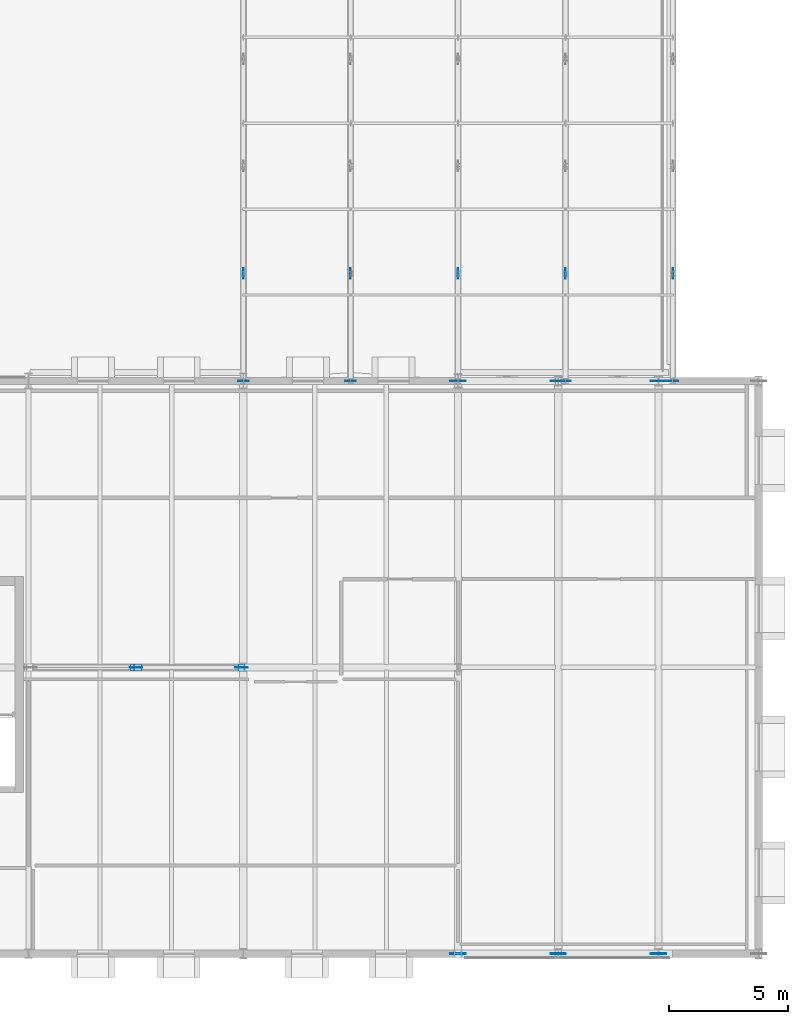
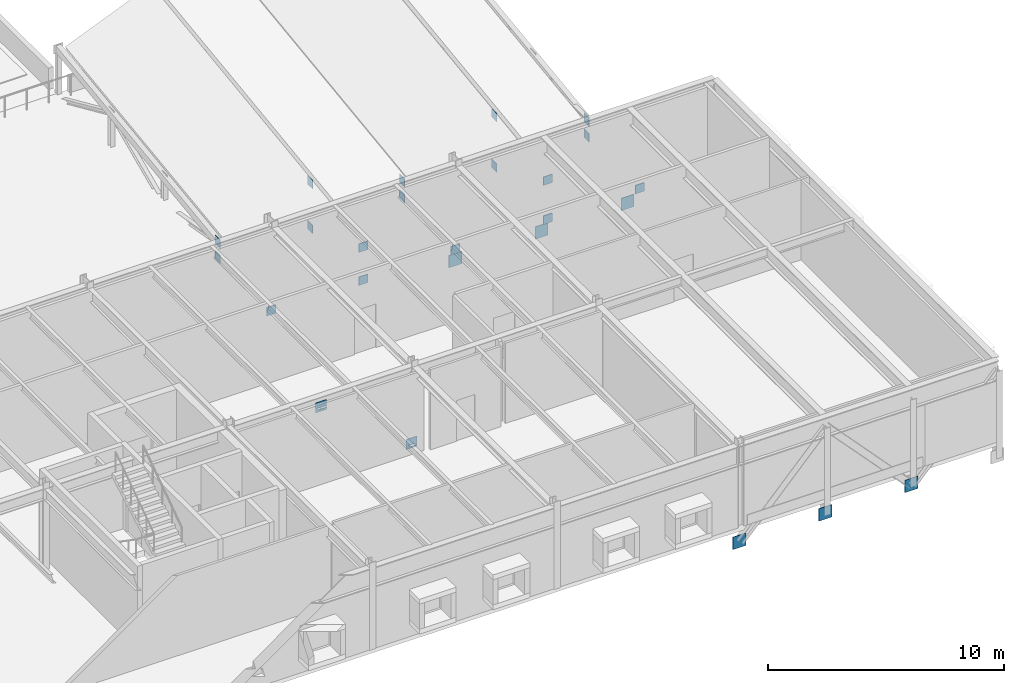
# One storey, part 113 of 142: 28 plates.
"""IFC4 building model written with IfcOpenShell, lengths in metres."""

from ifc_helpers import new_model, si_unit, direction, frame, origin, origin_2d, place, context, subcontext, project, spatial, rectangle, extrude, material, layer, layer_set, type_object, element, save


model = new_model("IFC4")

# Units and contexts
model_context = context("Model", 3, precision=1e-05, world=origin(), true_north=direction((0.0, 1.0)))
body_context = subcontext(model_context, "Body", "Model", "MODEL_VIEW")
ifc_project = project(units=[si_unit("LENGTHUNIT", "METRE"), si_unit("AREAUNIT", "SQUARE_METRE"), si_unit("VOLUMEUNIT", "CUBIC_METRE"), si_unit("PLANEANGLEUNIT", "RADIAN"), si_unit("MASSUNIT", "GRAM", prefix="KILO")], contexts=[model_context])

# Site, building, storey
site_placement = place(None, origin())
site = spatial("IfcSite", under=ifc_project, at=site_placement, CompositionType="ELEMENT")
building_placement = place(site_placement, origin())
building = spatial("IfcBuilding", under=site, at=building_placement, Name="Montelvaro Courts of Justice", CompositionType="ELEMENT")
storey_placement = place(building_placement, frame((0.0, 0.0, 14.39990234375)))
storey = spatial("IfcBuildingStorey", under=building, at=storey_placement, Name="L03", CompositionType="ELEMENT", Elevation=14.39990234375)

# Plates
ifc_material = material(Name="Steel S355", Category="steel")
ifc_layer_1 = layer(ifc_material, 0.011962890625)
ifc_layer_set_1 = layer_set([ifc_layer_1], Name="Steel S355")
plate_type_1 = type_object("IfcPlateType", Name="EndCapPlate_12", PredefinedType="USERDEFINED", material=ifc_layer_set_1)
for number, where, z_axis, x_axis, name in (
    (1, (121.419921875, 12.0, 3.55419921875), (0.0, 0.0, 1.0), (1.0, 0.0, 0.0), "Brace End Cap Plate CP-01 CBF2-L03-1B"),
    (2, (125.919921875, 12.0, 0.07421875), (0.0, 0.0, 1.0), (1.0, 0.0, 0.0), "Brace End Cap Plate CP-01 CBF2-L03-2A"),
    (3, (121.580078125, 12.0, 3.55419921875), (0.0, 0.0, 1.0), (1.0, 0.0, 0.0), "Brace End Cap Plate CP-01 CBF2-L03-2B"),
):
    element("IfcPlate", number, at=place(storey_placement, frame(where, z_axis=z_axis, x_axis=x_axis)), inside=storey, type_object=plate_type_1, Name=name, ObjectType="GUSSET PLATE", PredefinedType="USERDEFINED", context=body_context, shape_type="SweptSolid", body=[
        extrude(rectangle(XDim=0.300048828125, YDim=0.300048828125, at=origin_2d()), origin(), (0.0, 0.0, 1.0), 0.011962890625),
    ])
ifc_layer_2 = layer(ifc_material, 0.035888671875)
ifc_layer_set_2 = layer_set([ifc_layer_2], Name="Steel S355")
plate_type_2 = type_object("IfcPlateType", Name="EndCapPlate_36", PredefinedType="USERDEFINED", material=ifc_layer_set_2)
for number, where, z_axis, x_axis, name in (
    (4, (126.0, 24.0, -0.519775390625), (0.0, 0.0, 1.0), (1.0, 0.0, 0.0), "Roof Truss End Cap Plate CP-02 ROOF-V4E-VTR01-B0"),
    (5, (135.0, 24.0, -0.519775390625), (0.0, 0.0, 1.0), (1.0, 0.0, 0.0), "Roof Truss End Cap Plate CP-02 ROOF-V4E-VTR02-B0"),
    (6, (144.0, 24.0, -0.519775390625), (0.0, 0.0, 1.0), (1.0, 0.0, 0.0), "Roof Truss End Cap Plate CP-02 ROOF-V4E-VTR03-B0"),
    (7, (130.5, 24.0, -0.519775390625), (0.0, 0.0, 1.0), (1.0, 0.0, 0.0), "Roof Truss End Cap Plate CP-02 ROOF-V4E-RTR01-B0"),
    (8, (130.5, 24.0, 1.190185546875), (0.0, 0.0, 1.0), (1.0, 0.0, 0.0), "Roof Truss End Cap Plate CP-02 ROOF-V4E-RTR01-T0"),
    (9, (139.5, 24.0, -0.519775390625), (0.0, 0.0, 1.0), (1.0, 0.0, 0.0), "Roof Truss End Cap Plate CP-02 ROOF-V4E-RTR02-B0"),
    (10, (139.5, 24.0, 1.490234375), (0.0, 0.0, 1.0), (1.0, 0.0, 0.0), "Roof Truss End Cap Plate CP-02 ROOF-V4E-RTR02-T0"),
):
    element("IfcPlate", number, at=place(storey_placement, frame(where, z_axis=z_axis, x_axis=x_axis)), inside=storey, type_object=plate_type_2, Name=name, ObjectType="GUSSET PLATE", PredefinedType="USERDEFINED", context=body_context, shape_type="SweptSolid", body=[
        extrude(rectangle(XDim=0.43994140625, YDim=0.035888671875, at=origin_2d()), origin(), (0.0, 0.0, 1.0), 0.43994140625),
    ])
ifc_layer_3 = layer(ifc_material, 0.02001953125)
ifc_layer_set_3 = layer_set([ifc_layer_3], Name="Steel S355")
plate_type_3 = type_object("IfcPlateType", Name="GussetPlate_20", PredefinedType="USERDEFINED", material=ifc_layer_set_3)
for number, where, z_axis, x_axis, name in (
    (11, (125.919921875, 12.0, -0.099853515625), (0.0, 0.0, 1.0), (1.0, 0.0, 0.0), "Chevron Brace Base Gusset Plate GP-01 CBF2-L03-B2"),
    (12, (121.5, 12.0, 3.340087890625), (0.0, 0.0, 1.0), (1.0, 0.0, 0.0), "Chevron Brace Gusset Plate GP-01 CBF2-L03"),
):
    element("IfcPlate", number, at=place(storey_placement, frame(where, z_axis=z_axis, x_axis=x_axis)), inside=storey, type_object=plate_type_3, Name=name, ObjectType="GUSSET PLATE", PredefinedType="USERDEFINED", context=body_context, shape_type="SweptSolid", body=[
        extrude(rectangle(XDim=0.52001953125, YDim=0.02001953125, at=origin_2d()), origin(), (0.0, 0.0, 1.0), 0.52001953125),
    ])
for number, where, z_axis, x_axis, name in (
    (13, (126.0, 28.5, -0.519775390625), (0.0, 0.0, 1.0), (1.0, 0.0, 0.0), "Roof Truss Gusset Plate GP-01 ROOF-V4E-VTR01-1B"),
    (14, (126.0, 28.5, 0.2900390625), (0.0, 0.0, 1.0), (1.0, 0.0, 0.0), "Roof Truss Gusset Plate GP-01 ROOF-V4E-VTR01-1T"),
    (15, (135.0, 28.5, -0.519775390625), (0.0, 0.0, 1.0), (1.0, 0.0, 0.0), "Roof Truss Gusset Plate GP-01 ROOF-V4E-VTR02-1B"),
    (16, (135.0, 28.5, 0.2900390625), (0.0, 0.0, 1.0), (1.0, 0.0, 0.0), "Roof Truss Gusset Plate GP-01 ROOF-V4E-VTR02-1T"),
    (17, (144.0, 28.5, -0.519775390625), (0.0, 0.0, 1.0), (1.0, 0.0, 0.0), "Roof Truss Gusset Plate GP-01 ROOF-V4E-VTR03-1B"),
    (18, (144.0, 28.5, 0.2900390625), (0.0, 0.0, 1.0), (1.0, 0.0, 0.0), "Roof Truss Gusset Plate GP-01 ROOF-V4E-VTR03-1T"),
    (19, (130.5, 28.5, -0.519775390625), (0.0, 0.0, 1.0), (1.0, 0.0, 0.0), "Roof Truss Gusset Plate GP-01 ROOF-V4E-RTR01-1B"),
    (20, (130.5, 28.5, 1.7900390625), (0.0, 0.0, 1.0), (1.0, 0.0, 0.0), "Roof Truss Gusset Plate GP-01 ROOF-V4E-RTR01-1T"),
    (21, (139.5, 28.5, -0.519775390625), (0.0, 0.0, 1.0), (1.0, 0.0, 0.0), "Roof Truss Gusset Plate GP-01 ROOF-V4E-RTR02-1B"),
    (22, (139.5, 28.5, 2.090087890625), (0.0, 0.0, 1.0), (1.0, 0.0, 0.0), "Roof Truss Gusset Plate GP-01 ROOF-V4E-RTR02-1T"),
):
    element("IfcPlate", number, at=place(storey_placement, frame(where, z_axis=z_axis, x_axis=x_axis)), inside=storey, type_object=plate_type_3, Name=name, ObjectType="GUSSET PLATE", PredefinedType="USERDEFINED", context=body_context, shape_type="SweptSolid", body=[
        extrude(rectangle(XDim=0.02001953125, YDim=0.43994140625, at=origin_2d()), origin(), (0.0, 0.0, 1.0), 0.43994140625),
    ])
ifc_layer_4 = layer(ifc_material, 0.028076171875)
ifc_layer_set_4 = layer_set([ifc_layer_4], Name="Steel S355")
plate_type_4 = type_object("IfcPlateType", Name="GussetPlate_28", PredefinedType="USERDEFINED", material=ifc_layer_set_4)
for number, where, z_axis, x_axis, name in (
    (23, (135.0, 0.0, -1.14404296875), (0.0, 0.0, 1.0), (1.0, 0.0, 0.0), "Pratt Truss Gusset Plate GP-02 CTR-BAR2-S-L03-0B"),
    (24, (139.199951171875, 0.0, -1.14404296875), (0.0, 0.0, 1.0), (1.0, 0.0, 0.0), "Pratt Truss Gusset Plate GP-02 CTR-BAR2-S-L03-1B"),
    (25, (143.39990234375, 0.0, -1.14404296875), (0.0, 0.0, 1.0), (1.0, 0.0, 0.0), "Pratt Truss Gusset Plate GP-02 CTR-BAR2-S-L03-2B"),
    (26, (135.0, 24.0, -1.14404296875), (0.0, 0.0, 1.0), (1.0, 0.0, 0.0), "Pratt Truss Gusset Plate GP-02 CTR-BAR2-N-L03-0B"),
    (27, (139.199951171875, 24.0, -1.14404296875), (0.0, 0.0, 1.0), (1.0, 0.0, 0.0), "Pratt Truss Gusset Plate GP-02 CTR-BAR2-N-L03-1B"),
    (28, (143.39990234375, 24.0, -1.14404296875), (0.0, 0.0, 1.0), (1.0, 0.0, 0.0), "Pratt Truss Gusset Plate GP-02 CTR-BAR2-N-L03-2B"),
):
    element("IfcPlate", number, at=place(storey_placement, frame(where, z_axis=z_axis, x_axis=x_axis)), inside=storey, type_object=plate_type_4, Name=name, ObjectType="GUSSET PLATE", PredefinedType="USERDEFINED", context=body_context, shape_type="SweptSolid", body=[
        extrude(rectangle(XDim=0.639892578125, YDim=0.028076171875, at=origin_2d()), origin(), (0.0, 0.0, 1.0), 0.639892578125),
    ])

save(model, "model.ifc")
